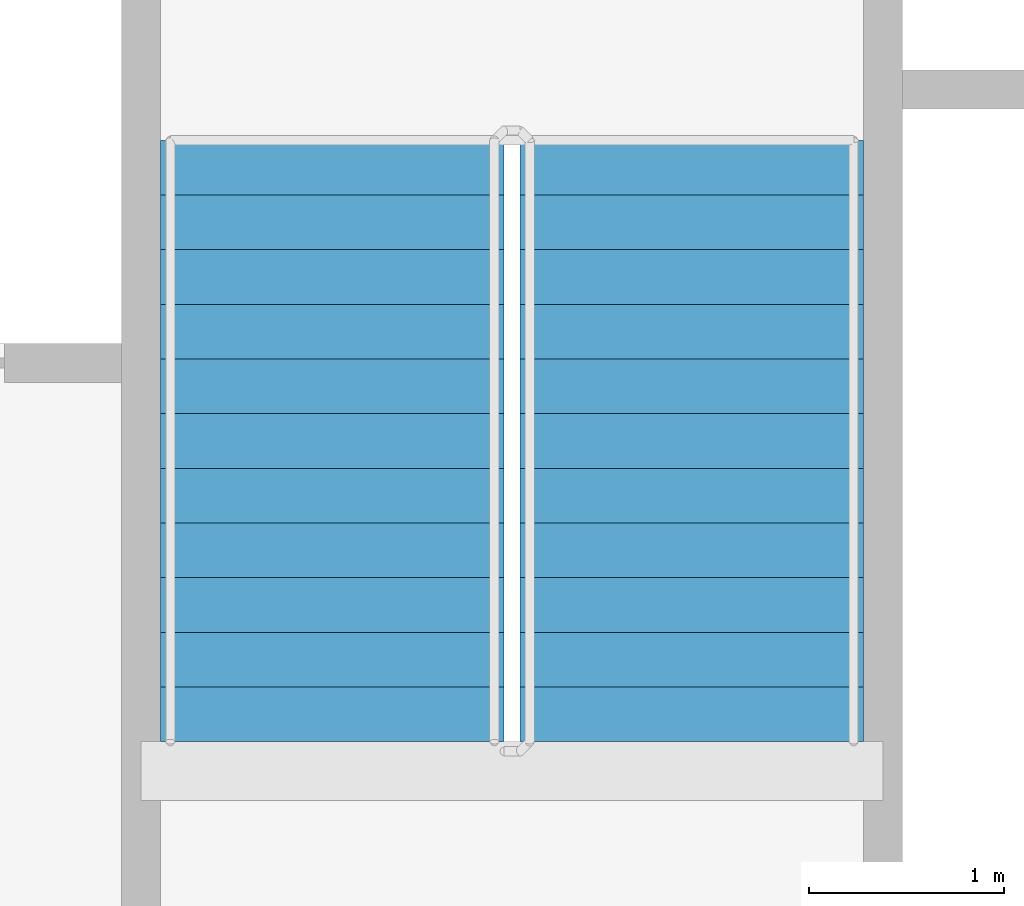
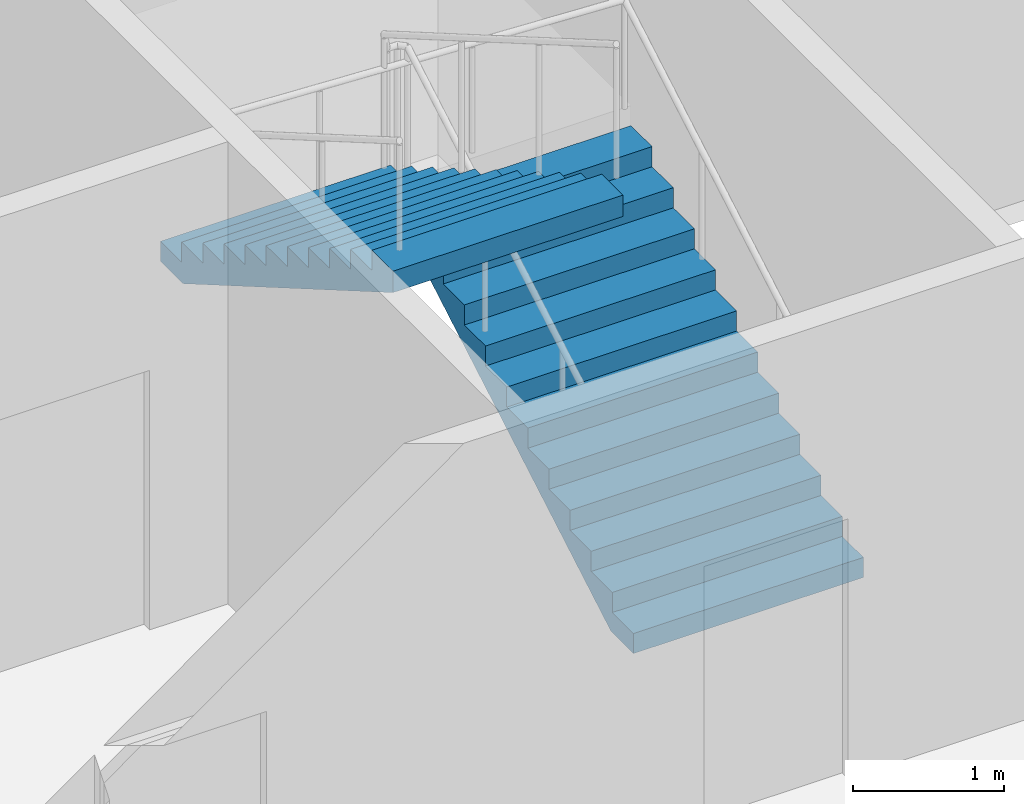
# One storey, part 10 of 15: 2 stair flights, 1 element without a shape of its own.
"""IFC4 building model written with IfcOpenShell, lengths in metres."""

from ifc_helpers import new_model, si_unit, direction, frame, origin, place, context, subcontext, project, spatial, faceted_brep, material, type_object, element, aggregate, save


model = new_model("IFC4")

# Units and contexts
model_context = context("Model", 3, precision=1e-05, world=origin(), true_north=direction((0.0, 1.0)))
body_context = subcontext(model_context, "Body", "Model", "MODEL_VIEW")
ifc_project = project(units=[si_unit("LENGTHUNIT", "METRE"), si_unit("AREAUNIT", "SQUARE_METRE"), si_unit("VOLUMEUNIT", "CUBIC_METRE"), si_unit("PLANEANGLEUNIT", "RADIAN"), si_unit("MASSUNIT", "GRAM", prefix="KILO")], contexts=[model_context])

# Site, building, storey
site_placement = place(None, origin())
site = spatial("IfcSite", under=ifc_project, at=site_placement, CompositionType="ELEMENT")
building_placement = place(site_placement, origin())
building = spatial("IfcBuilding", under=site, at=building_placement, Name="Tarsis Ring Headquarters", CompositionType="ELEMENT")
storey_placement = place(building_placement, frame((0.0, 0.0, 319.699951171875)))
storey = spatial("IfcBuildingStorey", under=building, at=storey_placement, Name="L75", CompositionType="ELEMENT", Elevation=319.699951171875)

# Stair, stair flights
ifc_material_1 = material(Name="Core stair 1760")
stair_type = type_object("IfcStairType", Name="Core stair 1760", PredefinedType="HALF_TURN_STAIR", material=ifc_material_1)
stair_placement = place(storey_placement, origin())
stair = element("IfcStair", 1, at=stair_placement, inside=storey, type_object=stair_type, Name="L75 Exit stair B", PredefinedType="HALF_TURN_STAIR")
ifc_material_2 = material(Name="Concrete C40/50", Category="concrete")
stair_flight_type = type_object("IfcStairFlightType", Name="Core stair flight 1760", PredefinedType="STRAIGHT", material=ifc_material_2)
stair_flight_1_placement = place(storey_placement, frame((5.419921875, 3.659912109375, 0.0), z_axis=(0.0, 0.0, 1.0), x_axis=(0.0, 1.0, 0.0)))
stair_flight_1 = element("IfcStairFlight", 2, at=stair_flight_1_placement, type_object=stair_flight_type, Name="Stair ST2 flight 1", NumberOfRisers=12, NumberOfTreads=11, PredefinedType="STRAIGHT", RiserHeight=0.1625, TreadLength=0.28, context=body_context, shape_type="Brep", body=[
    faceted_brep([(0.0, 0.8798828125, 0.0), (0.0, 0.8798828125, 0.16259765625), (0.280029296875, 0.8798828125, 0.16259765625), (0.280029296875, 0.8798828125, 0.324951171875), (0.56005859375, 0.8798828125, 0.324951171875), (0.56005859375, 0.8798828125, 0.487548828125), (0.840087890625, 0.8798828125, 0.487548828125), (0.840087890625, 0.8798828125, 0.64990234375), (1.1201171875, 0.8798828125, 0.64990234375), (1.1201171875, 0.8798828125, 0.8125), (1.39990234375, 0.8798828125, 0.8125), (1.39990234375, 0.8798828125, 0.97509765625), (1.679931640625, 0.8798828125, 0.97509765625), (1.679931640625, 0.8798828125, 1.137451171875), (1.9599609375, 0.8798828125, 1.137451171875), (1.9599609375, 0.8798828125, 1.300048828125), (2.239990234375, 0.8798828125, 1.300048828125), (2.239990234375, 0.8798828125, 1.46240234375), (2.52001953125, 0.8798828125, 1.46240234375), (2.52001953125, 0.8798828125, 1.625), (2.800048828125, 0.8798828125, 1.625), (2.800048828125, 0.8798828125, 1.78759765625), (3.080078125, 0.8798828125, 1.78759765625), (3.080078125, 0.8798828125, 1.6142578125), (0.298583984375, 0.8798828125, 0.0), (0.298583984375, -0.8798828125, 0.0), (3.080078125, -0.8798828125, 1.6142578125), (3.080078125, -0.8798828125, 1.78759765625), (2.800048828125, -0.8798828125, 1.78759765625), (2.800048828125, -0.8798828125, 1.625), (2.52001953125, -0.8798828125, 1.625), (2.52001953125, -0.8798828125, 1.46240234375), (2.239990234375, -0.8798828125, 1.46240234375), (2.239990234375, -0.8798828125, 1.300048828125), (1.9599609375, -0.8798828125, 1.300048828125), (1.9599609375, -0.8798828125, 1.137451171875), (1.679931640625, -0.8798828125, 1.137451171875), (1.679931640625, -0.8798828125, 0.97509765625), (1.39990234375, -0.8798828125, 0.97509765625), (1.39990234375, -0.8798828125, 0.8125), (1.1201171875, -0.8798828125, 0.8125), (1.1201171875, -0.8798828125, 0.64990234375), (0.840087890625, -0.8798828125, 0.64990234375), (0.840087890625, -0.8798828125, 0.487548828125), (0.56005859375, -0.8798828125, 0.487548828125), (0.56005859375, -0.8798828125, 0.324951171875), (0.280029296875, -0.8798828125, 0.324951171875), (0.280029296875, -0.8798828125, 0.16259765625), (0.0, -0.8798828125, 0.16259765625), (0.0, -0.8798828125, 0.0), (0.0, -0.43994140625, 0.16259765625), (0.0, -0.43994140625, 0.0), (0.0, 0.0, 0.16259765625), (0.0, 0.0, 0.0), (0.0, 0.43994140625, 0.16259765625), (0.0, 0.43994140625, 0.0), (0.280029296875, -0.43994140625, 0.16259765625), (0.280029296875, 0.0, 0.16259765625), (0.280029296875, 0.43994140625, 0.16259765625), (0.280029296875, -0.43994140625, 0.324951171875), (0.280029296875, 0.0, 0.324951171875), (0.280029296875, 0.43994140625, 0.324951171875), (0.56005859375, -0.43994140625, 0.324951171875), (0.56005859375, 0.0, 0.324951171875), (0.56005859375, 0.43994140625, 0.324951171875), (0.56005859375, -0.43994140625, 0.487548828125), (0.56005859375, 0.0, 0.487548828125), (0.56005859375, 0.43994140625, 0.487548828125), (0.840087890625, -0.43994140625, 0.487548828125), (0.840087890625, 0.0, 0.487548828125), (0.840087890625, 0.43994140625, 0.487548828125), (0.840087890625, -0.43994140625, 0.64990234375), (0.840087890625, 0.0, 0.64990234375), (0.840087890625, 0.43994140625, 0.64990234375), (1.1201171875, -0.43994140625, 0.64990234375), (1.1201171875, 0.0, 0.64990234375), (1.1201171875, 0.43994140625, 0.64990234375), (1.1201171875, -0.43994140625, 0.8125), (1.1201171875, 0.0, 0.8125), (1.1201171875, 0.43994140625, 0.8125), (1.39990234375, -0.43994140625, 0.8125), (1.39990234375, 0.0, 0.8125), (1.39990234375, 0.43994140625, 0.8125), (1.39990234375, -0.43994140625, 0.97509765625), (1.39990234375, 0.0, 0.97509765625), (1.39990234375, 0.43994140625, 0.97509765625), (1.679931640625, -0.43994140625, 0.97509765625), (1.679931640625, 0.0, 0.97509765625), (1.679931640625, 0.43994140625, 0.97509765625), (1.679931640625, -0.43994140625, 1.137451171875), (1.679931640625, 0.0, 1.137451171875), (1.679931640625, 0.43994140625, 1.137451171875), (1.9599609375, -0.43994140625, 1.137451171875), (1.9599609375, 0.0, 1.137451171875), (1.9599609375, 0.43994140625, 1.137451171875), (1.9599609375, -0.43994140625, 1.300048828125), (1.9599609375, 0.0, 1.300048828125), (1.9599609375, 0.43994140625, 1.300048828125), (2.239990234375, -0.43994140625, 1.300048828125), (2.239990234375, 0.0, 1.300048828125), (2.239990234375, 0.43994140625, 1.300048828125), (2.239990234375, -0.43994140625, 1.46240234375), (2.239990234375, 0.0, 1.46240234375), (2.239990234375, 0.43994140625, 1.46240234375), (2.52001953125, -0.43994140625, 1.46240234375), (2.52001953125, 0.0, 1.46240234375), (2.52001953125, 0.43994140625, 1.46240234375), (2.52001953125, -0.43994140625, 1.625), (2.52001953125, 0.0, 1.625), (2.52001953125, 0.43994140625, 1.625), (2.800048828125, -0.43994140625, 1.625), (2.800048828125, 0.0, 1.625), (2.800048828125, 0.43994140625, 1.625), (2.800048828125, -0.43994140625, 1.78759765625), (2.800048828125, 0.0, 1.78759765625), (2.800048828125, 0.43994140625, 1.78759765625), (3.080078125, -0.43994140625, 1.78759765625), (3.080078125, 0.0, 1.78759765625), (3.080078125, 0.43994140625, 1.78759765625), (3.080078125, -0.43994140625, 1.6142578125), (3.080078125, 0.0, 1.6142578125), (3.080078125, 0.43994140625, 1.6142578125), (0.298583984375, -0.43994140625, 0.0), (0.298583984375, 0.0, 0.0), (0.298583984375, 0.43994140625, 0.0)], [[[0, 1, 2, 3, 4, 5, 6, 7, 8, 9, 10, 11, 12, 13, 14, 15, 16, 17, 18, 19, 20, 21, 22, 23, 24]], [[25, 26, 27, 28, 29, 30, 31, 32, 33, 34, 35, 36, 37, 38, 39, 40, 41, 42, 43, 44, 45, 46, 47, 48, 49]], [[49, 48, 50, 51]], [[51, 50, 52, 53]], [[53, 52, 54, 55]], [[55, 54, 1, 0]], [[48, 47, 56, 50]], [[50, 56, 57, 52]], [[52, 57, 58, 54]], [[54, 58, 2, 1]], [[47, 46, 59, 56]], [[56, 59, 60, 57]], [[57, 60, 61, 58]], [[58, 61, 3, 2]], [[46, 45, 62, 59]], [[59, 62, 63, 60]], [[60, 63, 64, 61]], [[61, 64, 4, 3]], [[45, 44, 65, 62]], [[62, 65, 66, 63]], [[63, 66, 67, 64]], [[64, 67, 5, 4]], [[44, 43, 68, 65]], [[65, 68, 69, 66]], [[66, 69, 70, 67]], [[67, 70, 6, 5]], [[43, 42, 71, 68]], [[68, 71, 72, 69]], [[69, 72, 73, 70]], [[70, 73, 7, 6]], [[42, 41, 74, 71]], [[71, 74, 75, 72]], [[72, 75, 76, 73]], [[73, 76, 8, 7]], [[41, 40, 77, 74]], [[74, 77, 78, 75]], [[75, 78, 79, 76]], [[76, 79, 9, 8]], [[40, 39, 80, 77]], [[77, 80, 81, 78]], [[78, 81, 82, 79]], [[79, 82, 10, 9]], [[39, 38, 83, 80]], [[80, 83, 84, 81]], [[81, 84, 85, 82]], [[82, 85, 11, 10]], [[38, 37, 86, 83]], [[83, 86, 87, 84]], [[84, 87, 88, 85]], [[85, 88, 12, 11]], [[37, 36, 89, 86]], [[86, 89, 90, 87]], [[87, 90, 91, 88]], [[88, 91, 13, 12]], [[36, 35, 92, 89]], [[89, 92, 93, 90]], [[90, 93, 94, 91]], [[91, 94, 14, 13]], [[35, 34, 95, 92]], [[92, 95, 96, 93]], [[93, 96, 97, 94]], [[94, 97, 15, 14]], [[34, 33, 98, 95]], [[95, 98, 99, 96]], [[96, 99, 100, 97]], [[97, 100, 16, 15]], [[33, 32, 101, 98]], [[98, 101, 102, 99]], [[99, 102, 103, 100]], [[100, 103, 17, 16]], [[32, 31, 104, 101]], [[101, 104, 105, 102]], [[102, 105, 106, 103]], [[103, 106, 18, 17]], [[31, 30, 107, 104]], [[104, 107, 108, 105]], [[105, 108, 109, 106]], [[106, 109, 19, 18]], [[30, 29, 110, 107]], [[107, 110, 111, 108]], [[108, 111, 112, 109]], [[109, 112, 20, 19]], [[29, 28, 113, 110]], [[110, 113, 114, 111]], [[111, 114, 115, 112]], [[112, 115, 21, 20]], [[28, 27, 116, 113]], [[113, 116, 117, 114]], [[114, 117, 118, 115]], [[115, 118, 22, 21]], [[27, 26, 119, 116]], [[116, 119, 120, 117]], [[117, 120, 121, 118]], [[118, 121, 23, 22]], [[26, 25, 122, 119]], [[119, 122, 123, 120]], [[120, 123, 124, 121]], [[121, 124, 24, 23]], [[25, 49, 51, 122]], [[122, 51, 53, 123]], [[123, 53, 55, 124]], [[124, 55, 0, 24]]]),
])
stair_flight_2_placement = place(storey_placement, frame((3.580078125, 6.739990234375, 1.949951171875), z_axis=(0.0, 0.0, 1.0), x_axis=(0.0, -1.0, 0.0)))
stair_flight_2 = element("IfcStairFlight", 3, at=stair_flight_2_placement, type_object=stair_flight_type, Name="Stair ST2 flight 2", NumberOfRisers=12, NumberOfTreads=11, PredefinedType="STRAIGHT", RiserHeight=0.1625, TreadLength=0.28, context=body_context, shape_type="Brep", body=[
    faceted_brep([(0.0, 0.8798828125, 0.0), (0.0, 0.8798828125, 0.16259765625), (0.280029296875, 0.8798828125, 0.16259765625), (0.280029296875, 0.8798828125, 0.324951171875), (0.56005859375, 0.8798828125, 0.324951171875), (0.56005859375, 0.8798828125, 0.487548828125), (0.840087890625, 0.8798828125, 0.487548828125), (0.840087890625, 0.8798828125, 0.64990234375), (1.1201171875, 0.8798828125, 0.64990234375), (1.1201171875, 0.8798828125, 0.8125), (1.39990234375, 0.8798828125, 0.8125), (1.39990234375, 0.8798828125, 0.97509765625), (1.679931640625, 0.8798828125, 0.97509765625), (1.679931640625, 0.8798828125, 1.137451171875), (1.9599609375, 0.8798828125, 1.137451171875), (1.9599609375, 0.8798828125, 1.300048828125), (2.239990234375, 0.8798828125, 1.300048828125), (2.239990234375, 0.8798828125, 1.46240234375), (2.52001953125, 0.8798828125, 1.46240234375), (2.52001953125, 0.8798828125, 1.625), (2.800048828125, 0.8798828125, 1.625), (2.800048828125, 0.8798828125, 1.78759765625), (3.080078125, 0.8798828125, 1.78759765625), (3.080078125, 0.8798828125, 1.6142578125), (0.298583984375, 0.8798828125, 0.0), (0.298583984375, -0.8798828125, 0.0), (3.080078125, -0.8798828125, 1.6142578125), (3.080078125, -0.8798828125, 1.78759765625), (2.800048828125, -0.8798828125, 1.78759765625), (2.800048828125, -0.8798828125, 1.625), (2.52001953125, -0.8798828125, 1.625), (2.52001953125, -0.8798828125, 1.46240234375), (2.239990234375, -0.8798828125, 1.46240234375), (2.239990234375, -0.8798828125, 1.300048828125), (1.9599609375, -0.8798828125, 1.300048828125), (1.9599609375, -0.8798828125, 1.137451171875), (1.679931640625, -0.8798828125, 1.137451171875), (1.679931640625, -0.8798828125, 0.97509765625), (1.39990234375, -0.8798828125, 0.97509765625), (1.39990234375, -0.8798828125, 0.8125), (1.1201171875, -0.8798828125, 0.8125), (1.1201171875, -0.8798828125, 0.64990234375), (0.840087890625, -0.8798828125, 0.64990234375), (0.840087890625, -0.8798828125, 0.487548828125), (0.56005859375, -0.8798828125, 0.487548828125), (0.56005859375, -0.8798828125, 0.324951171875), (0.280029296875, -0.8798828125, 0.324951171875), (0.280029296875, -0.8798828125, 0.16259765625), (0.0, -0.8798828125, 0.16259765625), (0.0, -0.8798828125, 0.0), (0.0, -0.43994140625, 0.16259765625), (0.0, -0.43994140625, 0.0), (0.0, 0.0, 0.16259765625), (0.0, 0.0, 0.0), (0.0, 0.43994140625, 0.16259765625), (0.0, 0.43994140625, 0.0), (0.280029296875, -0.43994140625, 0.16259765625), (0.280029296875, 0.0, 0.16259765625), (0.280029296875, 0.43994140625, 0.16259765625), (0.280029296875, -0.43994140625, 0.324951171875), (0.280029296875, 0.0, 0.324951171875), (0.280029296875, 0.43994140625, 0.324951171875), (0.56005859375, -0.43994140625, 0.324951171875), (0.56005859375, 0.0, 0.324951171875), (0.56005859375, 0.43994140625, 0.324951171875), (0.56005859375, -0.43994140625, 0.487548828125), (0.56005859375, 0.0, 0.487548828125), (0.56005859375, 0.43994140625, 0.487548828125), (0.840087890625, -0.43994140625, 0.487548828125), (0.840087890625, 0.0, 0.487548828125), (0.840087890625, 0.43994140625, 0.487548828125), (0.840087890625, -0.43994140625, 0.64990234375), (0.840087890625, 0.0, 0.64990234375), (0.840087890625, 0.43994140625, 0.64990234375), (1.1201171875, -0.43994140625, 0.64990234375), (1.1201171875, 0.0, 0.64990234375), (1.1201171875, 0.43994140625, 0.64990234375), (1.1201171875, -0.43994140625, 0.8125), (1.1201171875, 0.0, 0.8125), (1.1201171875, 0.43994140625, 0.8125), (1.39990234375, -0.43994140625, 0.8125), (1.39990234375, 0.0, 0.8125), (1.39990234375, 0.43994140625, 0.8125), (1.39990234375, -0.43994140625, 0.97509765625), (1.39990234375, 0.0, 0.97509765625), (1.39990234375, 0.43994140625, 0.97509765625), (1.679931640625, -0.43994140625, 0.97509765625), (1.679931640625, 0.0, 0.97509765625), (1.679931640625, 0.43994140625, 0.97509765625), (1.679931640625, -0.43994140625, 1.137451171875), (1.679931640625, 0.0, 1.137451171875), (1.679931640625, 0.43994140625, 1.137451171875), (1.9599609375, -0.43994140625, 1.137451171875), (1.9599609375, 0.0, 1.137451171875), (1.9599609375, 0.43994140625, 1.137451171875), (1.9599609375, -0.43994140625, 1.300048828125), (1.9599609375, 0.0, 1.300048828125), (1.9599609375, 0.43994140625, 1.300048828125), (2.239990234375, -0.43994140625, 1.300048828125), (2.239990234375, 0.0, 1.300048828125), (2.239990234375, 0.43994140625, 1.300048828125), (2.239990234375, -0.43994140625, 1.46240234375), (2.239990234375, 0.0, 1.46240234375), (2.239990234375, 0.43994140625, 1.46240234375), (2.52001953125, -0.43994140625, 1.46240234375), (2.52001953125, 0.0, 1.46240234375), (2.52001953125, 0.43994140625, 1.46240234375), (2.52001953125, -0.43994140625, 1.625), (2.52001953125, 0.0, 1.625), (2.52001953125, 0.43994140625, 1.625), (2.800048828125, -0.43994140625, 1.625), (2.800048828125, 0.0, 1.625), (2.800048828125, 0.43994140625, 1.625), (2.800048828125, -0.43994140625, 1.78759765625), (2.800048828125, 0.0, 1.78759765625), (2.800048828125, 0.43994140625, 1.78759765625), (3.080078125, -0.43994140625, 1.78759765625), (3.080078125, 0.0, 1.78759765625), (3.080078125, 0.43994140625, 1.78759765625), (3.080078125, -0.43994140625, 1.6142578125), (3.080078125, 0.0, 1.6142578125), (3.080078125, 0.43994140625, 1.6142578125), (0.298583984375, -0.43994140625, 0.0), (0.298583984375, 0.0, 0.0), (0.298583984375, 0.43994140625, 0.0)], [[[0, 1, 2, 3, 4, 5, 6, 7, 8, 9, 10, 11, 12, 13, 14, 15, 16, 17, 18, 19, 20, 21, 22, 23, 24]], [[25, 26, 27, 28, 29, 30, 31, 32, 33, 34, 35, 36, 37, 38, 39, 40, 41, 42, 43, 44, 45, 46, 47, 48, 49]], [[49, 48, 50, 51]], [[51, 50, 52, 53]], [[53, 52, 54, 55]], [[55, 54, 1, 0]], [[48, 47, 56, 50]], [[50, 56, 57, 52]], [[52, 57, 58, 54]], [[54, 58, 2, 1]], [[47, 46, 59, 56]], [[56, 59, 60, 57]], [[57, 60, 61, 58]], [[58, 61, 3, 2]], [[46, 45, 62, 59]], [[59, 62, 63, 60]], [[60, 63, 64, 61]], [[61, 64, 4, 3]], [[45, 44, 65, 62]], [[62, 65, 66, 63]], [[63, 66, 67, 64]], [[64, 67, 5, 4]], [[44, 43, 68, 65]], [[65, 68, 69, 66]], [[66, 69, 70, 67]], [[67, 70, 6, 5]], [[43, 42, 71, 68]], [[68, 71, 72, 69]], [[69, 72, 73, 70]], [[70, 73, 7, 6]], [[42, 41, 74, 71]], [[71, 74, 75, 72]], [[72, 75, 76, 73]], [[73, 76, 8, 7]], [[41, 40, 77, 74]], [[74, 77, 78, 75]], [[75, 78, 79, 76]], [[76, 79, 9, 8]], [[40, 39, 80, 77]], [[77, 80, 81, 78]], [[78, 81, 82, 79]], [[79, 82, 10, 9]], [[39, 38, 83, 80]], [[80, 83, 84, 81]], [[81, 84, 85, 82]], [[82, 85, 11, 10]], [[38, 37, 86, 83]], [[83, 86, 87, 84]], [[84, 87, 88, 85]], [[85, 88, 12, 11]], [[37, 36, 89, 86]], [[86, 89, 90, 87]], [[87, 90, 91, 88]], [[88, 91, 13, 12]], [[36, 35, 92, 89]], [[89, 92, 93, 90]], [[90, 93, 94, 91]], [[91, 94, 14, 13]], [[35, 34, 95, 92]], [[92, 95, 96, 93]], [[93, 96, 97, 94]], [[94, 97, 15, 14]], [[34, 33, 98, 95]], [[95, 98, 99, 96]], [[96, 99, 100, 97]], [[97, 100, 16, 15]], [[33, 32, 101, 98]], [[98, 101, 102, 99]], [[99, 102, 103, 100]], [[100, 103, 17, 16]], [[32, 31, 104, 101]], [[101, 104, 105, 102]], [[102, 105, 106, 103]], [[103, 106, 18, 17]], [[31, 30, 107, 104]], [[104, 107, 108, 105]], [[105, 108, 109, 106]], [[106, 109, 19, 18]], [[30, 29, 110, 107]], [[107, 110, 111, 108]], [[108, 111, 112, 109]], [[109, 112, 20, 19]], [[29, 28, 113, 110]], [[110, 113, 114, 111]], [[111, 114, 115, 112]], [[112, 115, 21, 20]], [[28, 27, 116, 113]], [[113, 116, 117, 114]], [[114, 117, 118, 115]], [[115, 118, 22, 21]], [[27, 26, 119, 116]], [[116, 119, 120, 117]], [[117, 120, 121, 118]], [[118, 121, 23, 22]], [[26, 25, 122, 119]], [[119, 122, 123, 120]], [[120, 123, 124, 121]], [[121, 124, 24, 23]], [[25, 49, 51, 122]], [[122, 51, 53, 123]], [[123, 53, 55, 124]], [[124, 55, 0, 24]]]),
])
aggregate(stair, [stair_flight_1, stair_flight_2])

save(model, "model.ifc")
